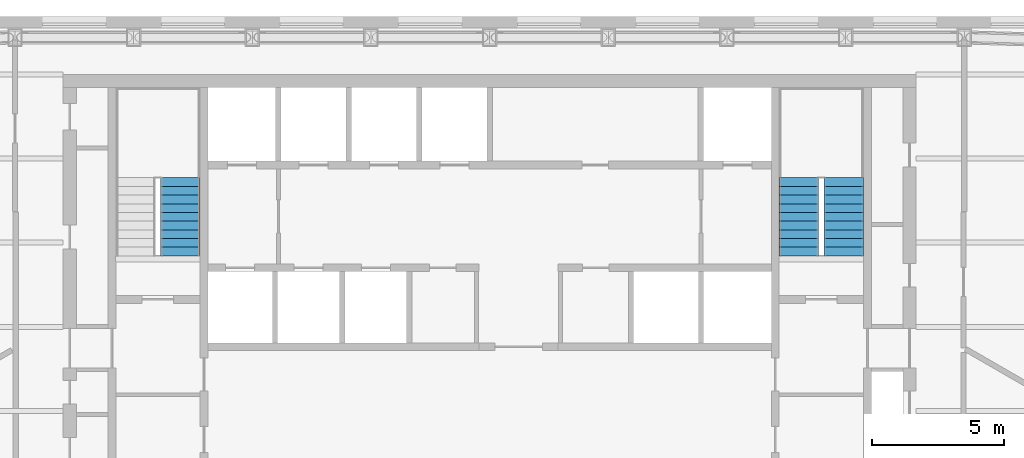
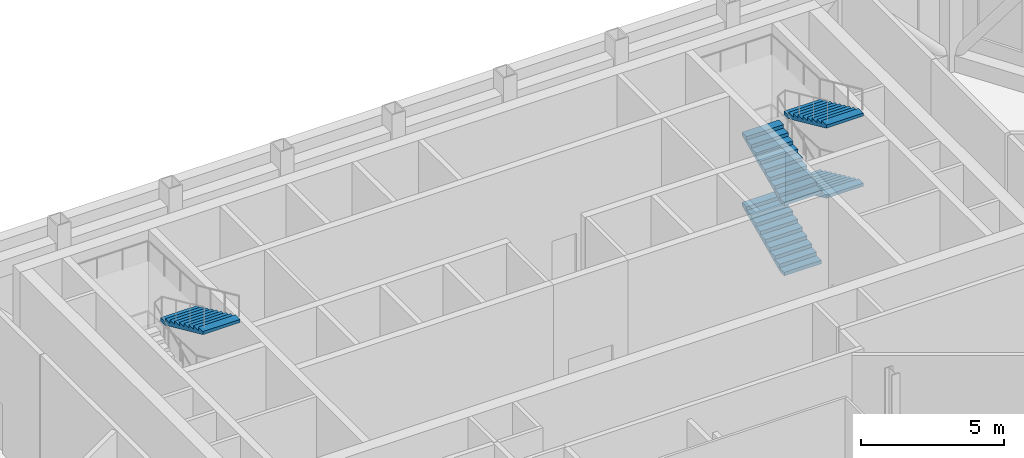
# One storey, part 12 of 13: 5 stair flights, 2 elements without a shape of their own.
"""IFC4 building model written with IfcOpenShell, lengths in metres."""

from ifc_helpers import new_model, si_unit, direction, frame, origin, place, context, subcontext, project, spatial, polygons, material, type_object, element, aggregate, save


model = new_model("IFC4")

# Units and contexts
model_context = context("Model", 3, precision=1e-05, world=origin(), true_north=direction((0.0, 1.0)))
body_context = subcontext(model_context, "Body", "Model", "MODEL_VIEW")
ifc_project = project(units=[si_unit("LENGTHUNIT", "METRE"), si_unit("AREAUNIT", "SQUARE_METRE"), si_unit("VOLUMEUNIT", "CUBIC_METRE"), si_unit("PLANEANGLEUNIT", "RADIAN"), si_unit("MASSUNIT", "GRAM", prefix="KILO")], contexts=[model_context])

# Site, building, storey
site_placement = place(None, origin())
site = spatial("IfcSite", under=ifc_project, at=site_placement, CompositionType="ELEMENT")
building_placement = place(site_placement, origin())
building = spatial("IfcBuilding", under=site, at=building_placement, Name="Njiva Tower", CompositionType="ELEMENT")
storey_placement = place(building_placement, frame((0.0, 0.0, 186.6)))
storey = spatial("IfcBuildingStorey", under=building, at=storey_placement, Name="L41", CompositionType="ELEMENT", Elevation=186.6)

# Stair, stair flight
ifc_material = material(Name="Concrete C40/50", Category="concrete")
stair_type = type_object("IfcStairType", Name="ST4 Exit stair 1500", PredefinedType="HALF_TURN_STAIR", material=ifc_material)
stair_1_placement = place(storey_placement, origin())
stair_1 = element("IfcStair", 1, at=stair_1_placement, inside=storey, type_object=stair_type, Name="Stair A", PredefinedType="DOUBLE_RETURN_STAIR")
stair_flight_type = type_object("IfcStairFlightType", Name="FL4 Stair flight 1500", PredefinedType="STRAIGHT", material=ifc_material)
stair_flight_1_placement = place(storey_placement, frame((-11.75, 14.07, 4.5), z_axis=(0.0, 0.0, 1.0), x_axis=(0.0, -1.0, 0.0)))
stair_flight_1 = element("IfcStairFlight", 2, at=stair_flight_1_placement, type_object=stair_flight_type, Name="ST-A flight 4", NumberOfRisers=10, NumberOfTreads=9, PredefinedType="STRAIGHT", RiserHeight=0.15, TreadLength=0.33, context=body_context, shape_type="Tessellation", body=[
    polygons([(0.0, 0.75, 0.0), (0.0, 0.375, 0.0), (0.0, 0.0, 0.0), (0.0, -0.375, 0.0), (0.0, -0.75, 0.0), (0.0, 0.75, 0.15), (0.0, 0.375, 0.15), (0.0, 0.0, 0.15), (0.0, -0.375, 0.15), (0.0, -0.75, 0.15), (0.33, 0.75, 0.15), (0.33, 0.375, 0.15), (0.33, 0.0, 0.15), (0.33, -0.375, 0.15), (0.33, -0.75, 0.15), (0.33, 0.75, 0.3), (0.33, 0.375, 0.3), (0.33, 0.0, 0.3), (0.33, -0.375, 0.3), (0.33, -0.75, 0.3), (0.66, 0.75, 0.3), (0.66, 0.375, 0.3), (0.66, 0.0, 0.3), (0.66, -0.375, 0.3), (0.66, -0.75, 0.3), (0.66, 0.75, 0.45), (0.66, 0.375, 0.45), (0.66, 0.0, 0.45), (0.66, -0.375, 0.45), (0.66, -0.75, 0.45), (0.99, 0.75, 0.45), (0.99, 0.375, 0.45), (0.99, 0.0, 0.45), (0.99, -0.375, 0.45), (0.99, -0.75, 0.45), (0.99, 0.75, 0.6), (0.99, 0.375, 0.6), (0.99, 0.0, 0.6), (0.99, -0.375, 0.6), (0.99, -0.75, 0.6), (1.32, 0.75, 0.6), (1.32, 0.375, 0.6), (1.32, 0.0, 0.6), (1.32, -0.375, 0.6), (1.32, -0.75, 0.6), (1.32, 0.75, 0.75), (1.32, 0.375, 0.75), (1.32, 0.0, 0.75), (1.32, -0.375, 0.75), (1.32, -0.75, 0.75), (1.65, 0.75, 0.75), (1.65, 0.375, 0.75), (1.65, 0.0, 0.75), (1.65, -0.375, 0.75), (1.65, -0.75, 0.75), (1.65, 0.75, 0.9), (1.65, 0.375, 0.9), (1.65, 0.0, 0.9), (1.65, -0.375, 0.9), (1.65, -0.75, 0.9), (1.98, 0.75, 0.9), (1.98, 0.375, 0.9), (1.98, 0.0, 0.9), (1.98, -0.375, 0.9), (1.98, -0.75, 0.9), (1.98, 0.75, 1.05), (1.98, 0.375, 1.05), (1.98, 0.0, 1.05), (1.98, -0.375, 1.05), (1.98, -0.75, 1.05), (2.31, 0.75, 1.05), (2.31, 0.375, 1.05), (2.31, 0.0, 1.05), (2.31, -0.375, 1.05), (2.31, -0.75, 1.05), (2.31, 0.75, 1.2), (2.31, 0.375, 1.2), (2.31, 0.0, 1.2), (2.31, -0.375, 1.2), (2.31, -0.75, 1.2), (2.64, 0.75, 1.2), (2.64, 0.375, 1.2), (2.64, 0.0, 1.2), (2.64, -0.375, 1.2), (2.64, -0.75, 1.2), (2.64, 0.75, 1.35), (2.64, 0.375, 1.35), (2.64, 0.0, 1.35), (2.64, -0.375, 1.35), (2.64, -0.75, 1.35), (2.97, 0.75, 1.35), (2.97, 0.375, 1.35), (2.97, 0.0, 1.35), (2.97, -0.375, 1.35), (2.97, -0.75, 1.35), (2.97, 0.75, 1.2182), (2.97, 0.375, 1.2182), (2.97, 0.0, 1.2182), (2.97, -0.375, 1.2182), (2.97, -0.75, 1.2182), (0.29, 0.75, 0.0), (0.29, 0.375, 0.0), (0.29, 0.0, 0.0), (0.29, -0.375, 0.0), (0.29, -0.75, 0.0)], [[[1, 6, 11, 16, 21, 26, 31, 36, 41, 46, 51, 56, 61, 66, 71, 76, 81, 86, 91, 96, 101]], [[105, 100, 95, 90, 85, 80, 75, 70, 65, 60, 55, 50, 45, 40, 35, 30, 25, 20, 15, 10, 5]], [[6, 1, 2, 7]], [[7, 2, 3, 8]], [[8, 3, 4, 9]], [[9, 4, 5, 10]], [[11, 6, 7, 12]], [[12, 7, 8, 13]], [[13, 8, 9, 14]], [[14, 9, 10, 15]], [[16, 11, 12, 17]], [[17, 12, 13, 18]], [[18, 13, 14, 19]], [[19, 14, 15, 20]], [[21, 16, 17, 22]], [[22, 17, 18, 23]], [[23, 18, 19, 24]], [[24, 19, 20, 25]], [[26, 21, 22, 27]], [[27, 22, 23, 28]], [[28, 23, 24, 29]], [[29, 24, 25, 30]], [[31, 26, 27, 32]], [[32, 27, 28, 33]], [[33, 28, 29, 34]], [[34, 29, 30, 35]], [[36, 31, 32, 37]], [[37, 32, 33, 38]], [[38, 33, 34, 39]], [[39, 34, 35, 40]], [[41, 36, 37, 42]], [[42, 37, 38, 43]], [[43, 38, 39, 44]], [[44, 39, 40, 45]], [[46, 41, 42, 47]], [[47, 42, 43, 48]], [[48, 43, 44, 49]], [[49, 44, 45, 50]], [[51, 46, 47, 52]], [[52, 47, 48, 53]], [[53, 48, 49, 54]], [[54, 49, 50, 55]], [[56, 51, 52, 57]], [[57, 52, 53, 58]], [[58, 53, 54, 59]], [[59, 54, 55, 60]], [[61, 56, 57, 62]], [[62, 57, 58, 63]], [[63, 58, 59, 64]], [[64, 59, 60, 65]], [[66, 61, 62, 67]], [[67, 62, 63, 68]], [[68, 63, 64, 69]], [[69, 64, 65, 70]], [[71, 66, 67, 72]], [[72, 67, 68, 73]], [[73, 68, 69, 74]], [[74, 69, 70, 75]], [[76, 71, 72, 77]], [[77, 72, 73, 78]], [[78, 73, 74, 79]], [[79, 74, 75, 80]], [[81, 76, 77, 82]], [[82, 77, 78, 83]], [[83, 78, 79, 84]], [[84, 79, 80, 85]], [[86, 81, 82, 87]], [[87, 82, 83, 88]], [[88, 83, 84, 89]], [[89, 84, 85, 90]], [[91, 86, 87, 92]], [[92, 87, 88, 93]], [[93, 88, 89, 94]], [[94, 89, 90, 95]], [[96, 91, 92, 97]], [[97, 92, 93, 98]], [[98, 93, 94, 99]], [[99, 94, 95, 100]], [[101, 96, 97, 102]], [[102, 97, 98, 103]], [[103, 98, 99, 104]], [[104, 99, 100, 105]], [[1, 101, 102, 2]], [[2, 102, 103, 3]], [[3, 103, 104, 4]], [[4, 104, 105, 5]]], closed=True),
])
aggregate(stair_1, [stair_flight_1])

# Stair, stair flights
stair_2_placement = place(storey_placement, origin())
stair_2 = element("IfcStair", 3, at=stair_2_placement, inside=storey, type_object=stair_type, Name="Stair B", PredefinedType="DOUBLE_RETURN_STAIR")
stair_flight_2_placement = place(storey_placement, frame((11.75, 11.1, 0.0), z_axis=(0.0, 0.0, 1.0), x_axis=(0.0, 1.0, 0.0)))
stair_flight_2 = element("IfcStairFlight", 4, at=stair_flight_2_placement, type_object=stair_flight_type, Name="ST-B flight 1", NumberOfRisers=10, NumberOfTreads=9, PredefinedType="STRAIGHT", RiserHeight=0.15, TreadLength=0.33, context=body_context, shape_type="Tessellation", body=[
    polygons([(0.0, 0.75, 0.0), (0.0, 0.375, 0.0), (0.0, 0.0, 0.0), (0.0, -0.375, 0.0), (0.0, -0.75, 0.0), (0.0, 0.75, 0.15), (0.0, 0.375, 0.15), (0.0, 0.0, 0.15), (0.0, -0.375, 0.15), (0.0, -0.75, 0.15), (0.33, 0.75, 0.15), (0.33, 0.375, 0.15), (0.33, 0.0, 0.15), (0.33, -0.375, 0.15), (0.33, -0.75, 0.15), (0.33, 0.75, 0.3), (0.33, 0.375, 0.3), (0.33, 0.0, 0.3), (0.33, -0.375, 0.3), (0.33, -0.75, 0.3), (0.66, 0.75, 0.3), (0.66, 0.375, 0.3), (0.66, 0.0, 0.3), (0.66, -0.375, 0.3), (0.66, -0.75, 0.3), (0.66, 0.75, 0.45), (0.66, 0.375, 0.45), (0.66, 0.0, 0.45), (0.66, -0.375, 0.45), (0.66, -0.75, 0.45), (0.99, 0.75, 0.45), (0.99, 0.375, 0.45), (0.99, 0.0, 0.45), (0.99, -0.375, 0.45), (0.99, -0.75, 0.45), (0.99, 0.75, 0.6), (0.99, 0.375, 0.6), (0.99, 0.0, 0.6), (0.99, -0.375, 0.6), (0.99, -0.75, 0.6), (1.32, 0.75, 0.6), (1.32, 0.375, 0.6), (1.32, 0.0, 0.6), (1.32, -0.375, 0.6), (1.32, -0.75, 0.6), (1.32, 0.75, 0.75), (1.32, 0.375, 0.75), (1.32, 0.0, 0.75), (1.32, -0.375, 0.75), (1.32, -0.75, 0.75), (1.65, 0.75, 0.75), (1.65, 0.375, 0.75), (1.65, 0.0, 0.75), (1.65, -0.375, 0.75), (1.65, -0.75, 0.75), (1.65, 0.75, 0.9), (1.65, 0.375, 0.9), (1.65, 0.0, 0.9), (1.65, -0.375, 0.9), (1.65, -0.75, 0.9), (1.98, 0.75, 0.9), (1.98, 0.375, 0.9), (1.98, 0.0, 0.9), (1.98, -0.375, 0.9), (1.98, -0.75, 0.9), (1.98, 0.75, 1.05), (1.98, 0.375, 1.05), (1.98, 0.0, 1.05), (1.98, -0.375, 1.05), (1.98, -0.75, 1.05), (2.31, 0.75, 1.05), (2.31, 0.375, 1.05), (2.31, 0.0, 1.05), (2.31, -0.375, 1.05), (2.31, -0.75, 1.05), (2.31, 0.75, 1.2), (2.31, 0.375, 1.2), (2.31, 0.0, 1.2), (2.31, -0.375, 1.2), (2.31, -0.75, 1.2), (2.64, 0.75, 1.2), (2.64, 0.375, 1.2), (2.64, 0.0, 1.2), (2.64, -0.375, 1.2), (2.64, -0.75, 1.2), (2.64, 0.75, 1.35), (2.64, 0.375, 1.35), (2.64, 0.0, 1.35), (2.64, -0.375, 1.35), (2.64, -0.75, 1.35), (2.97, 0.75, 1.35), (2.97, 0.375, 1.35), (2.97, 0.0, 1.35), (2.97, -0.375, 1.35), (2.97, -0.75, 1.35), (2.97, 0.75, 1.2182), (2.97, 0.375, 1.2182), (2.97, 0.0, 1.2182), (2.97, -0.375, 1.2182), (2.97, -0.75, 1.2182), (0.29, 0.75, 0.0), (0.29, 0.375, 0.0), (0.29, 0.0, 0.0), (0.29, -0.375, 0.0), (0.29, -0.75, 0.0)], [[[1, 6, 11, 16, 21, 26, 31, 36, 41, 46, 51, 56, 61, 66, 71, 76, 81, 86, 91, 96, 101]], [[105, 100, 95, 90, 85, 80, 75, 70, 65, 60, 55, 50, 45, 40, 35, 30, 25, 20, 15, 10, 5]], [[6, 1, 2, 7]], [[7, 2, 3, 8]], [[8, 3, 4, 9]], [[9, 4, 5, 10]], [[11, 6, 7, 12]], [[12, 7, 8, 13]], [[13, 8, 9, 14]], [[14, 9, 10, 15]], [[16, 11, 12, 17]], [[17, 12, 13, 18]], [[18, 13, 14, 19]], [[19, 14, 15, 20]], [[21, 16, 17, 22]], [[22, 17, 18, 23]], [[23, 18, 19, 24]], [[24, 19, 20, 25]], [[26, 21, 22, 27]], [[27, 22, 23, 28]], [[28, 23, 24, 29]], [[29, 24, 25, 30]], [[31, 26, 27, 32]], [[32, 27, 28, 33]], [[33, 28, 29, 34]], [[34, 29, 30, 35]], [[36, 31, 32, 37]], [[37, 32, 33, 38]], [[38, 33, 34, 39]], [[39, 34, 35, 40]], [[41, 36, 37, 42]], [[42, 37, 38, 43]], [[43, 38, 39, 44]], [[44, 39, 40, 45]], [[46, 41, 42, 47]], [[47, 42, 43, 48]], [[48, 43, 44, 49]], [[49, 44, 45, 50]], [[51, 46, 47, 52]], [[52, 47, 48, 53]], [[53, 48, 49, 54]], [[54, 49, 50, 55]], [[56, 51, 52, 57]], [[57, 52, 53, 58]], [[58, 53, 54, 59]], [[59, 54, 55, 60]], [[61, 56, 57, 62]], [[62, 57, 58, 63]], [[63, 58, 59, 64]], [[64, 59, 60, 65]], [[66, 61, 62, 67]], [[67, 62, 63, 68]], [[68, 63, 64, 69]], [[69, 64, 65, 70]], [[71, 66, 67, 72]], [[72, 67, 68, 73]], [[73, 68, 69, 74]], [[74, 69, 70, 75]], [[76, 71, 72, 77]], [[77, 72, 73, 78]], [[78, 73, 74, 79]], [[79, 74, 75, 80]], [[81, 76, 77, 82]], [[82, 77, 78, 83]], [[83, 78, 79, 84]], [[84, 79, 80, 85]], [[86, 81, 82, 87]], [[87, 82, 83, 88]], [[88, 83, 84, 89]], [[89, 84, 85, 90]], [[91, 86, 87, 92]], [[92, 87, 88, 93]], [[93, 88, 89, 94]], [[94, 89, 90, 95]], [[96, 91, 92, 97]], [[97, 92, 93, 98]], [[98, 93, 94, 99]], [[99, 94, 95, 100]], [[101, 96, 97, 102]], [[102, 97, 98, 103]], [[103, 98, 99, 104]], [[104, 99, 100, 105]], [[1, 101, 102, 2]], [[2, 102, 103, 3]], [[3, 103, 104, 4]], [[4, 104, 105, 5]]], closed=True),
])
stair_flight_3_placement = place(storey_placement, frame((13.45, 14.07, 1.5), z_axis=(0.0, 0.0, 1.0), x_axis=(0.0, -1.0, 0.0)))
stair_flight_3 = element("IfcStairFlight", 5, at=stair_flight_3_placement, type_object=stair_flight_type, Name="ST-B flight 2", NumberOfRisers=10, NumberOfTreads=9, PredefinedType="STRAIGHT", RiserHeight=0.15, TreadLength=0.33, context=body_context, shape_type="Tessellation", body=[
    polygons([(0.0, 0.75, 0.0), (0.0, 0.375, 0.0), (0.0, 0.0, 0.0), (0.0, -0.375, 0.0), (0.0, -0.75, 0.0), (0.0, 0.75, 0.15), (0.0, 0.375, 0.15), (0.0, 0.0, 0.15), (0.0, -0.375, 0.15), (0.0, -0.75, 0.15), (0.33, 0.75, 0.15), (0.33, 0.375, 0.15), (0.33, 0.0, 0.15), (0.33, -0.375, 0.15), (0.33, -0.75, 0.15), (0.33, 0.75, 0.3), (0.33, 0.375, 0.3), (0.33, 0.0, 0.3), (0.33, -0.375, 0.3), (0.33, -0.75, 0.3), (0.66, 0.75, 0.3), (0.66, 0.375, 0.3), (0.66, 0.0, 0.3), (0.66, -0.375, 0.3), (0.66, -0.75, 0.3), (0.66, 0.75, 0.45), (0.66, 0.375, 0.45), (0.66, 0.0, 0.45), (0.66, -0.375, 0.45), (0.66, -0.75, 0.45), (0.99, 0.75, 0.45), (0.99, 0.375, 0.45), (0.99, 0.0, 0.45), (0.99, -0.375, 0.45), (0.99, -0.75, 0.45), (0.99, 0.75, 0.6), (0.99, 0.375, 0.6), (0.99, 0.0, 0.6), (0.99, -0.375, 0.6), (0.99, -0.75, 0.6), (1.32, 0.75, 0.6), (1.32, 0.375, 0.6), (1.32, 0.0, 0.6), (1.32, -0.375, 0.6), (1.32, -0.75, 0.6), (1.32, 0.75, 0.75), (1.32, 0.375, 0.75), (1.32, 0.0, 0.75), (1.32, -0.375, 0.75), (1.32, -0.75, 0.75), (1.65, 0.75, 0.75), (1.65, 0.375, 0.75), (1.65, 0.0, 0.75), (1.65, -0.375, 0.75), (1.65, -0.75, 0.75), (1.65, 0.75, 0.9), (1.65, 0.375, 0.9), (1.65, 0.0, 0.9), (1.65, -0.375, 0.9), (1.65, -0.75, 0.9), (1.98, 0.75, 0.9), (1.98, 0.375, 0.9), (1.98, 0.0, 0.9), (1.98, -0.375, 0.9), (1.98, -0.75, 0.9), (1.98, 0.75, 1.05), (1.98, 0.375, 1.05), (1.98, 0.0, 1.05), (1.98, -0.375, 1.05), (1.98, -0.75, 1.05), (2.31, 0.75, 1.05), (2.31, 0.375, 1.05), (2.31, 0.0, 1.05), (2.31, -0.375, 1.05), (2.31, -0.75, 1.05), (2.31, 0.75, 1.2), (2.31, 0.375, 1.2), (2.31, 0.0, 1.2), (2.31, -0.375, 1.2), (2.31, -0.75, 1.2), (2.64, 0.75, 1.2), (2.64, 0.375, 1.2), (2.64, 0.0, 1.2), (2.64, -0.375, 1.2), (2.64, -0.75, 1.2), (2.64, 0.75, 1.35), (2.64, 0.375, 1.35), (2.64, 0.0, 1.35), (2.64, -0.375, 1.35), (2.64, -0.75, 1.35), (2.97, 0.75, 1.35), (2.97, 0.375, 1.35), (2.97, 0.0, 1.35), (2.97, -0.375, 1.35), (2.97, -0.75, 1.35), (2.97, 0.75, 1.2182), (2.97, 0.375, 1.2182), (2.97, 0.0, 1.2182), (2.97, -0.375, 1.2182), (2.97, -0.75, 1.2182), (0.29, 0.75, 0.0), (0.29, 0.375, 0.0), (0.29, 0.0, 0.0), (0.29, -0.375, 0.0), (0.29, -0.75, 0.0)], [[[1, 6, 11, 16, 21, 26, 31, 36, 41, 46, 51, 56, 61, 66, 71, 76, 81, 86, 91, 96, 101]], [[105, 100, 95, 90, 85, 80, 75, 70, 65, 60, 55, 50, 45, 40, 35, 30, 25, 20, 15, 10, 5]], [[6, 1, 2, 7]], [[7, 2, 3, 8]], [[8, 3, 4, 9]], [[9, 4, 5, 10]], [[11, 6, 7, 12]], [[12, 7, 8, 13]], [[13, 8, 9, 14]], [[14, 9, 10, 15]], [[16, 11, 12, 17]], [[17, 12, 13, 18]], [[18, 13, 14, 19]], [[19, 14, 15, 20]], [[21, 16, 17, 22]], [[22, 17, 18, 23]], [[23, 18, 19, 24]], [[24, 19, 20, 25]], [[26, 21, 22, 27]], [[27, 22, 23, 28]], [[28, 23, 24, 29]], [[29, 24, 25, 30]], [[31, 26, 27, 32]], [[32, 27, 28, 33]], [[33, 28, 29, 34]], [[34, 29, 30, 35]], [[36, 31, 32, 37]], [[37, 32, 33, 38]], [[38, 33, 34, 39]], [[39, 34, 35, 40]], [[41, 36, 37, 42]], [[42, 37, 38, 43]], [[43, 38, 39, 44]], [[44, 39, 40, 45]], [[46, 41, 42, 47]], [[47, 42, 43, 48]], [[48, 43, 44, 49]], [[49, 44, 45, 50]], [[51, 46, 47, 52]], [[52, 47, 48, 53]], [[53, 48, 49, 54]], [[54, 49, 50, 55]], [[56, 51, 52, 57]], [[57, 52, 53, 58]], [[58, 53, 54, 59]], [[59, 54, 55, 60]], [[61, 56, 57, 62]], [[62, 57, 58, 63]], [[63, 58, 59, 64]], [[64, 59, 60, 65]], [[66, 61, 62, 67]], [[67, 62, 63, 68]], [[68, 63, 64, 69]], [[69, 64, 65, 70]], [[71, 66, 67, 72]], [[72, 67, 68, 73]], [[73, 68, 69, 74]], [[74, 69, 70, 75]], [[76, 71, 72, 77]], [[77, 72, 73, 78]], [[78, 73, 74, 79]], [[79, 74, 75, 80]], [[81, 76, 77, 82]], [[82, 77, 78, 83]], [[83, 78, 79, 84]], [[84, 79, 80, 85]], [[86, 81, 82, 87]], [[87, 82, 83, 88]], [[88, 83, 84, 89]], [[89, 84, 85, 90]], [[91, 86, 87, 92]], [[92, 87, 88, 93]], [[93, 88, 89, 94]], [[94, 89, 90, 95]], [[96, 91, 92, 97]], [[97, 92, 93, 98]], [[98, 93, 94, 99]], [[99, 94, 95, 100]], [[101, 96, 97, 102]], [[102, 97, 98, 103]], [[103, 98, 99, 104]], [[104, 99, 100, 105]], [[1, 101, 102, 2]], [[2, 102, 103, 3]], [[3, 103, 104, 4]], [[4, 104, 105, 5]]], closed=True),
])
stair_flight_4_placement = place(storey_placement, frame((11.75, 11.1, 3.0), z_axis=(0.0, 0.0, 1.0), x_axis=(0.0, 1.0, 0.0)))
stair_flight_4 = element("IfcStairFlight", 6, at=stair_flight_4_placement, type_object=stair_flight_type, Name="ST-B flight 3", NumberOfRisers=10, NumberOfTreads=9, PredefinedType="STRAIGHT", RiserHeight=0.15, TreadLength=0.33, context=body_context, shape_type="Tessellation", body=[
    polygons([(0.0, 0.75, 0.0), (0.0, 0.375, 0.0), (0.0, 0.0, 0.0), (0.0, -0.375, 0.0), (0.0, -0.75, 0.0), (0.0, 0.75, 0.15), (0.0, 0.375, 0.15), (0.0, 0.0, 0.15), (0.0, -0.375, 0.15), (0.0, -0.75, 0.15), (0.33, 0.75, 0.15), (0.33, 0.375, 0.15), (0.33, 0.0, 0.15), (0.33, -0.375, 0.15), (0.33, -0.75, 0.15), (0.33, 0.75, 0.3), (0.33, 0.375, 0.3), (0.33, 0.0, 0.3), (0.33, -0.375, 0.3), (0.33, -0.75, 0.3), (0.66, 0.75, 0.3), (0.66, 0.375, 0.3), (0.66, 0.0, 0.3), (0.66, -0.375, 0.3), (0.66, -0.75, 0.3), (0.66, 0.75, 0.45), (0.66, 0.375, 0.45), (0.66, 0.0, 0.45), (0.66, -0.375, 0.45), (0.66, -0.75, 0.45), (0.99, 0.75, 0.45), (0.99, 0.375, 0.45), (0.99, 0.0, 0.45), (0.99, -0.375, 0.45), (0.99, -0.75, 0.45), (0.99, 0.75, 0.6), (0.99, 0.375, 0.6), (0.99, 0.0, 0.6), (0.99, -0.375, 0.6), (0.99, -0.75, 0.6), (1.32, 0.75, 0.6), (1.32, 0.375, 0.6), (1.32, 0.0, 0.6), (1.32, -0.375, 0.6), (1.32, -0.75, 0.6), (1.32, 0.75, 0.75), (1.32, 0.375, 0.75), (1.32, 0.0, 0.75), (1.32, -0.375, 0.75), (1.32, -0.75, 0.75), (1.65, 0.75, 0.75), (1.65, 0.375, 0.75), (1.65, 0.0, 0.75), (1.65, -0.375, 0.75), (1.65, -0.75, 0.75), (1.65, 0.75, 0.9), (1.65, 0.375, 0.9), (1.65, 0.0, 0.9), (1.65, -0.375, 0.9), (1.65, -0.75, 0.9), (1.98, 0.75, 0.9), (1.98, 0.375, 0.9), (1.98, 0.0, 0.9), (1.98, -0.375, 0.9), (1.98, -0.75, 0.9), (1.98, 0.75, 1.05), (1.98, 0.375, 1.05), (1.98, 0.0, 1.05), (1.98, -0.375, 1.05), (1.98, -0.75, 1.05), (2.31, 0.75, 1.05), (2.31, 0.375, 1.05), (2.31, 0.0, 1.05), (2.31, -0.375, 1.05), (2.31, -0.75, 1.05), (2.31, 0.75, 1.2), (2.31, 0.375, 1.2), (2.31, 0.0, 1.2), (2.31, -0.375, 1.2), (2.31, -0.75, 1.2), (2.64, 0.75, 1.2), (2.64, 0.375, 1.2), (2.64, 0.0, 1.2), (2.64, -0.375, 1.2), (2.64, -0.75, 1.2), (2.64, 0.75, 1.35), (2.64, 0.375, 1.35), (2.64, 0.0, 1.35), (2.64, -0.375, 1.35), (2.64, -0.75, 1.35), (2.97, 0.75, 1.35), (2.97, 0.375, 1.35), (2.97, 0.0, 1.35), (2.97, -0.375, 1.35), (2.97, -0.75, 1.35), (2.97, 0.75, 1.2182), (2.97, 0.375, 1.2182), (2.97, 0.0, 1.2182), (2.97, -0.375, 1.2182), (2.97, -0.75, 1.2182), (0.29, 0.75, 0.0), (0.29, 0.375, 0.0), (0.29, 0.0, 0.0), (0.29, -0.375, 0.0), (0.29, -0.75, 0.0)], [[[1, 6, 11, 16, 21, 26, 31, 36, 41, 46, 51, 56, 61, 66, 71, 76, 81, 86, 91, 96, 101]], [[105, 100, 95, 90, 85, 80, 75, 70, 65, 60, 55, 50, 45, 40, 35, 30, 25, 20, 15, 10, 5]], [[6, 1, 2, 7]], [[7, 2, 3, 8]], [[8, 3, 4, 9]], [[9, 4, 5, 10]], [[11, 6, 7, 12]], [[12, 7, 8, 13]], [[13, 8, 9, 14]], [[14, 9, 10, 15]], [[16, 11, 12, 17]], [[17, 12, 13, 18]], [[18, 13, 14, 19]], [[19, 14, 15, 20]], [[21, 16, 17, 22]], [[22, 17, 18, 23]], [[23, 18, 19, 24]], [[24, 19, 20, 25]], [[26, 21, 22, 27]], [[27, 22, 23, 28]], [[28, 23, 24, 29]], [[29, 24, 25, 30]], [[31, 26, 27, 32]], [[32, 27, 28, 33]], [[33, 28, 29, 34]], [[34, 29, 30, 35]], [[36, 31, 32, 37]], [[37, 32, 33, 38]], [[38, 33, 34, 39]], [[39, 34, 35, 40]], [[41, 36, 37, 42]], [[42, 37, 38, 43]], [[43, 38, 39, 44]], [[44, 39, 40, 45]], [[46, 41, 42, 47]], [[47, 42, 43, 48]], [[48, 43, 44, 49]], [[49, 44, 45, 50]], [[51, 46, 47, 52]], [[52, 47, 48, 53]], [[53, 48, 49, 54]], [[54, 49, 50, 55]], [[56, 51, 52, 57]], [[57, 52, 53, 58]], [[58, 53, 54, 59]], [[59, 54, 55, 60]], [[61, 56, 57, 62]], [[62, 57, 58, 63]], [[63, 58, 59, 64]], [[64, 59, 60, 65]], [[66, 61, 62, 67]], [[67, 62, 63, 68]], [[68, 63, 64, 69]], [[69, 64, 65, 70]], [[71, 66, 67, 72]], [[72, 67, 68, 73]], [[73, 68, 69, 74]], [[74, 69, 70, 75]], [[76, 71, 72, 77]], [[77, 72, 73, 78]], [[78, 73, 74, 79]], [[79, 74, 75, 80]], [[81, 76, 77, 82]], [[82, 77, 78, 83]], [[83, 78, 79, 84]], [[84, 79, 80, 85]], [[86, 81, 82, 87]], [[87, 82, 83, 88]], [[88, 83, 84, 89]], [[89, 84, 85, 90]], [[91, 86, 87, 92]], [[92, 87, 88, 93]], [[93, 88, 89, 94]], [[94, 89, 90, 95]], [[96, 91, 92, 97]], [[97, 92, 93, 98]], [[98, 93, 94, 99]], [[99, 94, 95, 100]], [[101, 96, 97, 102]], [[102, 97, 98, 103]], [[103, 98, 99, 104]], [[104, 99, 100, 105]], [[1, 101, 102, 2]], [[2, 102, 103, 3]], [[3, 103, 104, 4]], [[4, 104, 105, 5]]], closed=True),
])
stair_flight_5_placement = place(storey_placement, frame((13.45, 14.07, 4.5), z_axis=(0.0, 0.0, 1.0), x_axis=(0.0, -1.0, 0.0)))
stair_flight_5 = element("IfcStairFlight", 7, at=stair_flight_5_placement, type_object=stair_flight_type, Name="ST-B flight 4", NumberOfRisers=10, NumberOfTreads=9, PredefinedType="STRAIGHT", RiserHeight=0.15, TreadLength=0.33, context=body_context, shape_type="Tessellation", body=[
    polygons([(0.0, 0.75, 0.0), (0.0, 0.375, 0.0), (0.0, 0.0, 0.0), (0.0, -0.375, 0.0), (0.0, -0.75, 0.0), (0.0, 0.75, 0.15), (0.0, 0.375, 0.15), (0.0, 0.0, 0.15), (0.0, -0.375, 0.15), (0.0, -0.75, 0.15), (0.33, 0.75, 0.15), (0.33, 0.375, 0.15), (0.33, 0.0, 0.15), (0.33, -0.375, 0.15), (0.33, -0.75, 0.15), (0.33, 0.75, 0.3), (0.33, 0.375, 0.3), (0.33, 0.0, 0.3), (0.33, -0.375, 0.3), (0.33, -0.75, 0.3), (0.66, 0.75, 0.3), (0.66, 0.375, 0.3), (0.66, 0.0, 0.3), (0.66, -0.375, 0.3), (0.66, -0.75, 0.3), (0.66, 0.75, 0.45), (0.66, 0.375, 0.45), (0.66, 0.0, 0.45), (0.66, -0.375, 0.45), (0.66, -0.75, 0.45), (0.99, 0.75, 0.45), (0.99, 0.375, 0.45), (0.99, 0.0, 0.45), (0.99, -0.375, 0.45), (0.99, -0.75, 0.45), (0.99, 0.75, 0.6), (0.99, 0.375, 0.6), (0.99, 0.0, 0.6), (0.99, -0.375, 0.6), (0.99, -0.75, 0.6), (1.32, 0.75, 0.6), (1.32, 0.375, 0.6), (1.32, 0.0, 0.6), (1.32, -0.375, 0.6), (1.32, -0.75, 0.6), (1.32, 0.75, 0.75), (1.32, 0.375, 0.75), (1.32, 0.0, 0.75), (1.32, -0.375, 0.75), (1.32, -0.75, 0.75), (1.65, 0.75, 0.75), (1.65, 0.375, 0.75), (1.65, 0.0, 0.75), (1.65, -0.375, 0.75), (1.65, -0.75, 0.75), (1.65, 0.75, 0.9), (1.65, 0.375, 0.9), (1.65, 0.0, 0.9), (1.65, -0.375, 0.9), (1.65, -0.75, 0.9), (1.98, 0.75, 0.9), (1.98, 0.375, 0.9), (1.98, 0.0, 0.9), (1.98, -0.375, 0.9), (1.98, -0.75, 0.9), (1.98, 0.75, 1.05), (1.98, 0.375, 1.05), (1.98, 0.0, 1.05), (1.98, -0.375, 1.05), (1.98, -0.75, 1.05), (2.31, 0.75, 1.05), (2.31, 0.375, 1.05), (2.31, 0.0, 1.05), (2.31, -0.375, 1.05), (2.31, -0.75, 1.05), (2.31, 0.75, 1.2), (2.31, 0.375, 1.2), (2.31, 0.0, 1.2), (2.31, -0.375, 1.2), (2.31, -0.75, 1.2), (2.64, 0.75, 1.2), (2.64, 0.375, 1.2), (2.64, 0.0, 1.2), (2.64, -0.375, 1.2), (2.64, -0.75, 1.2), (2.64, 0.75, 1.35), (2.64, 0.375, 1.35), (2.64, 0.0, 1.35), (2.64, -0.375, 1.35), (2.64, -0.75, 1.35), (2.97, 0.75, 1.35), (2.97, 0.375, 1.35), (2.97, 0.0, 1.35), (2.97, -0.375, 1.35), (2.97, -0.75, 1.35), (2.97, 0.75, 1.2182), (2.97, 0.375, 1.2182), (2.97, 0.0, 1.2182), (2.97, -0.375, 1.2182), (2.97, -0.75, 1.2182), (0.29, 0.75, 0.0), (0.29, 0.375, 0.0), (0.29, 0.0, 0.0), (0.29, -0.375, 0.0), (0.29, -0.75, 0.0)], [[[1, 6, 11, 16, 21, 26, 31, 36, 41, 46, 51, 56, 61, 66, 71, 76, 81, 86, 91, 96, 101]], [[105, 100, 95, 90, 85, 80, 75, 70, 65, 60, 55, 50, 45, 40, 35, 30, 25, 20, 15, 10, 5]], [[6, 1, 2, 7]], [[7, 2, 3, 8]], [[8, 3, 4, 9]], [[9, 4, 5, 10]], [[11, 6, 7, 12]], [[12, 7, 8, 13]], [[13, 8, 9, 14]], [[14, 9, 10, 15]], [[16, 11, 12, 17]], [[17, 12, 13, 18]], [[18, 13, 14, 19]], [[19, 14, 15, 20]], [[21, 16, 17, 22]], [[22, 17, 18, 23]], [[23, 18, 19, 24]], [[24, 19, 20, 25]], [[26, 21, 22, 27]], [[27, 22, 23, 28]], [[28, 23, 24, 29]], [[29, 24, 25, 30]], [[31, 26, 27, 32]], [[32, 27, 28, 33]], [[33, 28, 29, 34]], [[34, 29, 30, 35]], [[36, 31, 32, 37]], [[37, 32, 33, 38]], [[38, 33, 34, 39]], [[39, 34, 35, 40]], [[41, 36, 37, 42]], [[42, 37, 38, 43]], [[43, 38, 39, 44]], [[44, 39, 40, 45]], [[46, 41, 42, 47]], [[47, 42, 43, 48]], [[48, 43, 44, 49]], [[49, 44, 45, 50]], [[51, 46, 47, 52]], [[52, 47, 48, 53]], [[53, 48, 49, 54]], [[54, 49, 50, 55]], [[56, 51, 52, 57]], [[57, 52, 53, 58]], [[58, 53, 54, 59]], [[59, 54, 55, 60]], [[61, 56, 57, 62]], [[62, 57, 58, 63]], [[63, 58, 59, 64]], [[64, 59, 60, 65]], [[66, 61, 62, 67]], [[67, 62, 63, 68]], [[68, 63, 64, 69]], [[69, 64, 65, 70]], [[71, 66, 67, 72]], [[72, 67, 68, 73]], [[73, 68, 69, 74]], [[74, 69, 70, 75]], [[76, 71, 72, 77]], [[77, 72, 73, 78]], [[78, 73, 74, 79]], [[79, 74, 75, 80]], [[81, 76, 77, 82]], [[82, 77, 78, 83]], [[83, 78, 79, 84]], [[84, 79, 80, 85]], [[86, 81, 82, 87]], [[87, 82, 83, 88]], [[88, 83, 84, 89]], [[89, 84, 85, 90]], [[91, 86, 87, 92]], [[92, 87, 88, 93]], [[93, 88, 89, 94]], [[94, 89, 90, 95]], [[96, 91, 92, 97]], [[97, 92, 93, 98]], [[98, 93, 94, 99]], [[99, 94, 95, 100]], [[101, 96, 97, 102]], [[102, 97, 98, 103]], [[103, 98, 99, 104]], [[104, 99, 100, 105]], [[1, 101, 102, 2]], [[2, 102, 103, 3]], [[3, 103, 104, 4]], [[4, 104, 105, 5]]], closed=True),
])
aggregate(stair_2, [stair_flight_2, stair_flight_3, stair_flight_4, stair_flight_5])

save(model, "model.ifc")
